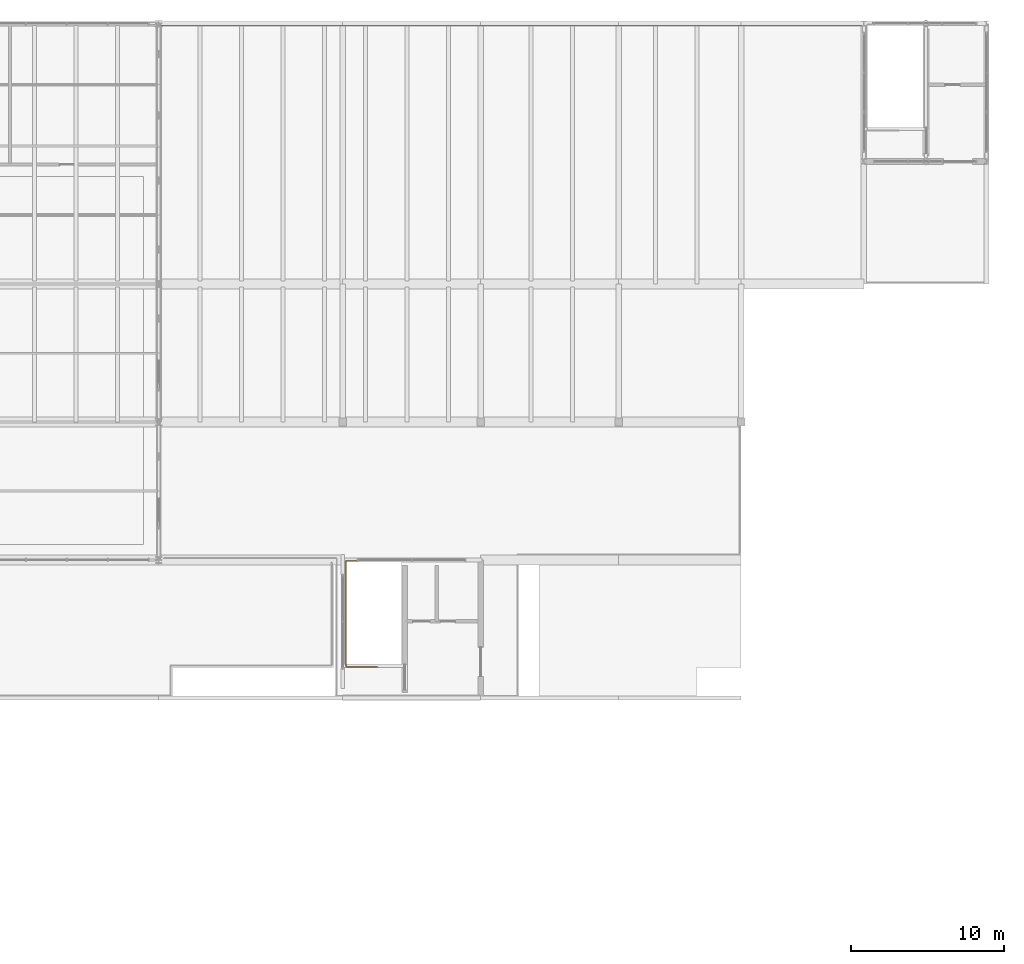
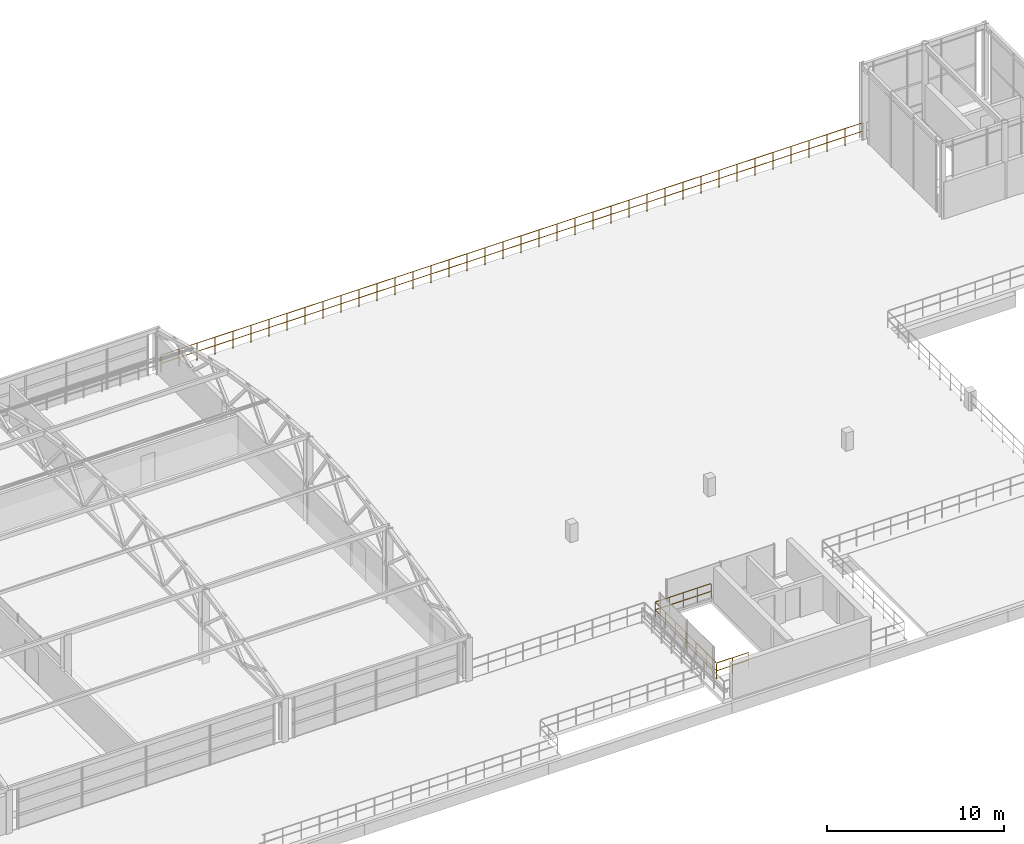
# One storey, part 47 of 50: 2 railings.
"""IFC4 building model written with IfcOpenShell, lengths in metres."""

from ifc_helpers import new_model, si_unit, derived_unit, direction, frame, origin, origin_2d, place, context, subcontext, project, spatial, circle, extrude, material, type_object, element, save


model = new_model("IFC4")

# Units and contexts
model_context = context("Model", 3, precision=1e-05, world=origin(), true_north=direction((0.0, 1.0)))
body_context = subcontext(model_context, "Body", "Model", "MODEL_VIEW")
ifc_project = project(units=[si_unit("LENGTHUNIT", "METRE"), si_unit("AREAUNIT", "SQUARE_METRE"), si_unit("VOLUMEUNIT", "CUBIC_METRE"), si_unit("PLANEANGLEUNIT", "RADIAN"), si_unit("MASSUNIT", "GRAM", prefix="KILO"), si_unit("THERMODYNAMICTEMPERATUREUNIT", "KELVIN"), derived_unit("THERMALTRANSMITTANCEUNIT", [(si_unit("POWERUNIT", "WATT"), 1), (si_unit("AREAUNIT", "SQUARE_METRE"), -1), (si_unit("THERMODYNAMICTEMPERATUREUNIT", "KELVIN"), -1)])], contexts=[model_context])

# Site, building, storey
site_placement = place(None, origin())
site = spatial("IfcSite", under=ifc_project, at=site_placement, CompositionType="ELEMENT")
building_placement = place(site_placement, origin())
building = spatial("IfcBuilding", under=site, at=building_placement, Name="Haiyu Intermodal Mobility Hub", CompositionType="ELEMENT")
storey_placement = place(building_placement, frame((0.0, 0.0, 25.10009765625)))
storey = spatial("IfcBuildingStorey", under=building, at=storey_placement, Name="L06", CompositionType="ELEMENT", Elevation=25.10009765625)

# Railings
ifc_material = material(Name="Steel Q355C", Category="steel")
railing_type_1 = type_object("IfcRailingType", Name="RAL-GR01", PredefinedType="GUARDRAIL", material=ifc_material)
railing_1_placement = place(storey_placement, frame((153.949951171875, 147.8798828125, 0.0)))
element("IfcRailing", 1, at=railing_1_placement, inside=storey, type_object=railing_type_1, Name="L06 Outdoor Basketball Court North Guard", PredefinedType="GUARDRAIL", context=body_context, shape_type="SweptSolid", body=[
    extrude(circle(Radius=0.02392578125, at=origin_2d()), frame((-0.030029296875, 0.0, 1.17578125), z_axis=(-1.0, 0.0, 0.0), x_axis=(0.0, -1.0, 0.0)), (0.0, 0.0, 1.0), 45.75),
    extrude(circle(Radius=0.02392578125, at=origin_2d()), frame((-0.037353515625, 0.0, 0.60009765625), z_axis=(-1.0, 0.0, 0.0), x_axis=(0.0, -1.0, 0.0)), (0.0, 0.0, 1.0), 1.10009765625),
    extrude(circle(Radius=0.02392578125, at=origin_2d()), frame((-1.2119140625, 0.0, 0.60009765625), z_axis=(-1.0, 0.0, 0.0), x_axis=(0.0, -1.0, 0.0)), (0.0, 0.0, 1.0), 1.10009765625),
    extrude(circle(Radius=0.02392578125, at=origin_2d()), frame((-2.386474609375, 0.0, 0.60009765625), z_axis=(-1.0, 0.0, 0.0), x_axis=(0.0, -1.0, 0.0)), (0.0, 0.0, 1.0), 1.10009765625),
    extrude(circle(Radius=0.02392578125, at=origin_2d()), frame((-3.56103515625, 0.0, 0.60009765625), z_axis=(-1.0, 0.0, 0.0), x_axis=(0.0, -1.0, 0.0)), (0.0, 0.0, 1.0), 1.10009765625),
    extrude(circle(Radius=0.02392578125, at=origin_2d()), frame((-4.73583984375, 0.0, 0.60009765625), z_axis=(-1.0, 0.0, 0.0), x_axis=(0.0, -1.0, 0.0)), (0.0, 0.0, 1.0), 1.10009765625),
    extrude(circle(Radius=0.02392578125, at=origin_2d()), frame((-5.910400390625, 0.0, 0.60009765625), z_axis=(-1.0, 0.0, 0.0), x_axis=(0.0, -1.0, 0.0)), (0.0, 0.0, 1.0), 1.10009765625),
    extrude(circle(Radius=0.02392578125, at=origin_2d()), frame((-7.0849609375, 0.0, 0.60009765625), z_axis=(-1.0, 0.0, 0.0), x_axis=(0.0, -1.0, 0.0)), (0.0, 0.0, 1.0), 1.10009765625),
    extrude(circle(Radius=0.02392578125, at=origin_2d()), frame((-8.259521484375, 0.0, 0.60009765625), z_axis=(-1.0, 0.0, 0.0), x_axis=(0.0, -1.0, 0.0)), (0.0, 0.0, 1.0), 1.10009765625),
    extrude(circle(Radius=0.02392578125, at=origin_2d()), frame((-9.434326171875, 0.0, 0.60009765625), z_axis=(-1.0, 0.0, 0.0), x_axis=(0.0, -1.0, 0.0)), (0.0, 0.0, 1.0), 1.10009765625),
    extrude(circle(Radius=0.02392578125, at=origin_2d()), frame((-10.60888671875, 0.0, 0.60009765625), z_axis=(-1.0, 0.0, 0.0), x_axis=(0.0, -1.0, 0.0)), (0.0, 0.0, 1.0), 1.10009765625),
    extrude(circle(Radius=0.02392578125, at=origin_2d()), frame((-11.783447265625, 0.0, 0.60009765625), z_axis=(-1.0, 0.0, 0.0), x_axis=(0.0, -1.0, 0.0)), (0.0, 0.0, 1.0), 1.10009765625),
    extrude(circle(Radius=0.02392578125, at=origin_2d()), frame((-12.9580078125, 0.0, 0.60009765625), z_axis=(-1.0, 0.0, 0.0), x_axis=(0.0, -1.0, 0.0)), (0.0, 0.0, 1.0), 1.10009765625),
    extrude(circle(Radius=0.02392578125, at=origin_2d()), frame((-14.1328125, 0.0, 0.60009765625), z_axis=(-1.0, 0.0, 0.0), x_axis=(0.0, -1.0, 0.0)), (0.0, 0.0, 1.0), 1.10009765625),
    extrude(circle(Radius=0.02392578125, at=origin_2d()), frame((-15.307373046875, 0.0, 0.60009765625), z_axis=(-1.0, 0.0, 0.0), x_axis=(0.0, -1.0, 0.0)), (0.0, 0.0, 1.0), 1.10009765625),
    extrude(circle(Radius=0.02392578125, at=origin_2d()), frame((-16.48193359375, 0.0, 0.60009765625), z_axis=(-1.0, 0.0, 0.0), x_axis=(0.0, -1.0, 0.0)), (0.0, 0.0, 1.0), 1.10009765625),
    extrude(circle(Radius=0.02392578125, at=origin_2d()), frame((-17.656494140625, 0.0, 0.60009765625), z_axis=(-1.0, 0.0, 0.0), x_axis=(0.0, -1.0, 0.0)), (0.0, 0.0, 1.0), 1.10009765625),
    extrude(circle(Radius=0.02392578125, at=origin_2d()), frame((-18.8310546875, 0.0, 0.60009765625), z_axis=(-1.0, 0.0, 0.0), x_axis=(0.0, -1.0, 0.0)), (0.0, 0.0, 1.0), 1.10009765625),
    extrude(circle(Radius=0.02392578125, at=origin_2d()), frame((-20.005859375, 0.0, 0.60009765625), z_axis=(-1.0, 0.0, 0.0), x_axis=(0.0, -1.0, 0.0)), (0.0, 0.0, 1.0), 1.10009765625),
    extrude(circle(Radius=0.02392578125, at=origin_2d()), frame((-21.180419921875, 0.0, 0.60009765625), z_axis=(-1.0, 0.0, 0.0), x_axis=(0.0, -1.0, 0.0)), (0.0, 0.0, 1.0), 1.10009765625),
    extrude(circle(Radius=0.02392578125, at=origin_2d()), frame((-22.35498046875, 0.0, 0.60009765625), z_axis=(-1.0, 0.0, 0.0), x_axis=(0.0, -1.0, 0.0)), (0.0, 0.0, 1.0), 1.10009765625),
    extrude(circle(Radius=0.02392578125, at=origin_2d()), frame((-23.529541015625, 0.0, 0.60009765625), z_axis=(-1.0, 0.0, 0.0), x_axis=(0.0, -1.0, 0.0)), (0.0, 0.0, 1.0), 1.10009765625),
    extrude(circle(Radius=0.02392578125, at=origin_2d()), frame((-24.704345703125, 0.0, 0.60009765625), z_axis=(-1.0, 0.0, 0.0), x_axis=(0.0, -1.0, 0.0)), (0.0, 0.0, 1.0), 1.10009765625),
    extrude(circle(Radius=0.02392578125, at=origin_2d()), frame((-25.87890625, 0.0, 0.60009765625), z_axis=(-1.0, 0.0, 0.0), x_axis=(0.0, -1.0, 0.0)), (0.0, 0.0, 1.0), 1.10009765625),
    extrude(circle(Radius=0.02392578125, at=origin_2d()), frame((-27.053466796875, 0.0, 0.60009765625), z_axis=(-1.0, 0.0, 0.0), x_axis=(0.0, -1.0, 0.0)), (0.0, 0.0, 1.0), 1.10009765625),
    extrude(circle(Radius=0.02392578125, at=origin_2d()), frame((-28.22802734375, 0.0, 0.60009765625), z_axis=(-1.0, 0.0, 0.0), x_axis=(0.0, -1.0, 0.0)), (0.0, 0.0, 1.0), 1.10009765625),
    extrude(circle(Radius=0.02392578125, at=origin_2d()), frame((-29.40283203125, 0.0, 0.60009765625), z_axis=(-1.0, 0.0, 0.0), x_axis=(0.0, -1.0, 0.0)), (0.0, 0.0, 1.0), 1.10009765625),
    extrude(circle(Radius=0.02392578125, at=origin_2d()), frame((-30.577392578125, 0.0, 0.60009765625), z_axis=(-1.0, 0.0, 0.0), x_axis=(0.0, -1.0, 0.0)), (0.0, 0.0, 1.0), 1.10009765625),
    extrude(circle(Radius=0.02392578125, at=origin_2d()), frame((-31.751953125, 0.0, 0.60009765625), z_axis=(-1.0, 0.0, 0.0), x_axis=(0.0, -1.0, 0.0)), (0.0, 0.0, 1.0), 1.10009765625),
    extrude(circle(Radius=0.02392578125, at=origin_2d()), frame((-32.926513671875, 0.0, 0.60009765625), z_axis=(-1.0, 0.0, 0.0), x_axis=(0.0, -1.0, 0.0)), (0.0, 0.0, 1.0), 1.10009765625),
    extrude(circle(Radius=0.02392578125, at=origin_2d()), frame((-34.10107421875, 0.0, 0.60009765625), z_axis=(-1.0, 0.0, 0.0), x_axis=(0.0, -1.0, 0.0)), (0.0, 0.0, 1.0), 1.10009765625),
    extrude(circle(Radius=0.02392578125, at=origin_2d()), frame((-35.27587890625, 0.0, 0.60009765625), z_axis=(-1.0, 0.0, 0.0), x_axis=(0.0, -1.0, 0.0)), (0.0, 0.0, 1.0), 1.10009765625),
    extrude(circle(Radius=0.02392578125, at=origin_2d()), frame((-36.450439453125, 0.0, 0.60009765625), z_axis=(-1.0, 0.0, 0.0), x_axis=(0.0, -1.0, 0.0)), (0.0, 0.0, 1.0), 1.10009765625),
    extrude(circle(Radius=0.02392578125, at=origin_2d()), frame((-37.625, 0.0, 0.60009765625), z_axis=(-1.0, 0.0, 0.0), x_axis=(0.0, -1.0, 0.0)), (0.0, 0.0, 1.0), 1.10009765625),
    extrude(circle(Radius=0.02392578125, at=origin_2d()), frame((-38.799560546875, 0.0, 0.60009765625), z_axis=(-1.0, 0.0, 0.0), x_axis=(0.0, -1.0, 0.0)), (0.0, 0.0, 1.0), 1.10009765625),
    extrude(circle(Radius=0.02392578125, at=origin_2d()), frame((-39.974365234375, 0.0, 0.60009765625), z_axis=(-1.0, 0.0, 0.0), x_axis=(0.0, -1.0, 0.0)), (0.0, 0.0, 1.0), 1.10009765625),
    extrude(circle(Radius=0.02392578125, at=origin_2d()), frame((-41.14892578125, 0.0, 0.60009765625), z_axis=(-1.0, 0.0, 0.0), x_axis=(0.0, -1.0, 0.0)), (0.0, 0.0, 1.0), 1.10009765625),
    extrude(circle(Radius=0.02392578125, at=origin_2d()), frame((-42.323486328125, 0.0, 0.60009765625), z_axis=(-1.0, 0.0, 0.0), x_axis=(0.0, -1.0, 0.0)), (0.0, 0.0, 1.0), 1.10009765625),
    extrude(circle(Radius=0.02392578125, at=origin_2d()), frame((-43.498046875, 0.0, 0.60009765625), z_axis=(-1.0, 0.0, 0.0), x_axis=(0.0, -1.0, 0.0)), (0.0, 0.0, 1.0), 1.10009765625),
    extrude(circle(Radius=0.02392578125, at=origin_2d()), frame((-44.6728515625, 0.0, 0.60009765625), z_axis=(-1.0, 0.0, 0.0), x_axis=(0.0, -1.0, 0.0)), (0.0, 0.0, 1.0), 1.10009765625),
    extrude(circle(Radius=0.02099609375, at=origin_2d()), origin(), (0.0, 0.0, 1.0), 1.143798828125),
    extrude(circle(Radius=0.02099609375, at=origin_2d()), frame((-1.174560546875, 0.0, 0.0)), (0.0, 0.0, 1.0), 1.143798828125),
    extrude(circle(Radius=0.02099609375, at=origin_2d()), frame((-2.34912109375, 0.0, 0.0)), (0.0, 0.0, 1.0), 1.143798828125),
    extrude(circle(Radius=0.02099609375, at=origin_2d()), frame((-3.52392578125, 0.0, 0.0)), (0.0, 0.0, 1.0), 1.143798828125),
    extrude(circle(Radius=0.02099609375, at=origin_2d()), frame((-4.698486328125, 0.0, 0.0)), (0.0, 0.0, 1.0), 1.143798828125),
    extrude(circle(Radius=0.02099609375, at=origin_2d()), frame((-5.873046875, 0.0, 0.0)), (0.0, 0.0, 1.0), 1.143798828125),
    extrude(circle(Radius=0.02099609375, at=origin_2d()), frame((-7.047607421875, 0.0, 0.0)), (0.0, 0.0, 1.0), 1.143798828125),
    extrude(circle(Radius=0.02099609375, at=origin_2d()), frame((-8.222412109375, 0.0, 0.0)), (0.0, 0.0, 1.0), 1.143798828125),
    extrude(circle(Radius=0.02099609375, at=origin_2d()), frame((-9.39697265625, 0.0, 0.0)), (0.0, 0.0, 1.0), 1.143798828125),
    extrude(circle(Radius=0.02099609375, at=origin_2d()), frame((-10.571533203125, 0.0, 0.0)), (0.0, 0.0, 1.0), 1.143798828125),
    extrude(circle(Radius=0.02099609375, at=origin_2d()), frame((-11.74609375, 0.0, 0.0)), (0.0, 0.0, 1.0), 1.143798828125),
    extrude(circle(Radius=0.02099609375, at=origin_2d()), frame((-12.9208984375, 0.0, 0.0)), (0.0, 0.0, 1.0), 1.143798828125),
    extrude(circle(Radius=0.02099609375, at=origin_2d()), frame((-14.095458984375, 0.0, 0.0)), (0.0, 0.0, 1.0), 1.143798828125),
    extrude(circle(Radius=0.02099609375, at=origin_2d()), frame((-15.27001953125, 0.0, 0.0)), (0.0, 0.0, 1.0), 1.143798828125),
    extrude(circle(Radius=0.02099609375, at=origin_2d()), frame((-16.444580078125, 0.0, 0.0)), (0.0, 0.0, 1.0), 1.143798828125),
    extrude(circle(Radius=0.02099609375, at=origin_2d()), frame((-17.619140625, 0.0, 0.0)), (0.0, 0.0, 1.0), 1.143798828125),
    extrude(circle(Radius=0.02099609375, at=origin_2d()), frame((-18.7939453125, 0.0, 0.0)), (0.0, 0.0, 1.0), 1.143798828125),
    extrude(circle(Radius=0.02099609375, at=origin_2d()), frame((-19.968505859375, 0.0, 0.0)), (0.0, 0.0, 1.0), 1.143798828125),
    extrude(circle(Radius=0.02099609375, at=origin_2d()), frame((-21.14306640625, 0.0, 0.0)), (0.0, 0.0, 1.0), 1.143798828125),
    extrude(circle(Radius=0.02099609375, at=origin_2d()), frame((-22.317626953125, 0.0, 0.0)), (0.0, 0.0, 1.0), 1.143798828125),
    extrude(circle(Radius=0.02099609375, at=origin_2d()), frame((-23.492431640625, 0.0, 0.0)), (0.0, 0.0, 1.0), 1.143798828125),
    extrude(circle(Radius=0.02099609375, at=origin_2d()), frame((-24.6669921875, 0.0, 0.0)), (0.0, 0.0, 1.0), 1.143798828125),
    extrude(circle(Radius=0.02099609375, at=origin_2d()), frame((-25.841552734375, 0.0, 0.0)), (0.0, 0.0, 1.0), 1.143798828125),
    extrude(circle(Radius=0.02099609375, at=origin_2d()), frame((-27.01611328125, 0.0, 0.0)), (0.0, 0.0, 1.0), 1.143798828125),
    extrude(circle(Radius=0.02099609375, at=origin_2d()), frame((-28.19091796875, 0.0, 0.0)), (0.0, 0.0, 1.0), 1.143798828125),
    extrude(circle(Radius=0.02099609375, at=origin_2d()), frame((-29.365478515625, 0.0, 0.0)), (0.0, 0.0, 1.0), 1.143798828125),
    extrude(circle(Radius=0.02099609375, at=origin_2d()), frame((-30.5400390625, 0.0, 0.0)), (0.0, 0.0, 1.0), 1.143798828125),
    extrude(circle(Radius=0.02099609375, at=origin_2d()), frame((-31.714599609375, 0.0, 0.0)), (0.0, 0.0, 1.0), 1.143798828125),
    extrude(circle(Radius=0.02099609375, at=origin_2d()), frame((-32.88916015625, 0.0, 0.0)), (0.0, 0.0, 1.0), 1.143798828125),
    extrude(circle(Radius=0.02099609375, at=origin_2d()), frame((-34.06396484375, 0.0, 0.0)), (0.0, 0.0, 1.0), 1.143798828125),
    extrude(circle(Radius=0.02099609375, at=origin_2d()), frame((-35.238525390625, 0.0, 0.0)), (0.0, 0.0, 1.0), 1.143798828125),
    extrude(circle(Radius=0.02099609375, at=origin_2d()), frame((-36.4130859375, 0.0, 0.0)), (0.0, 0.0, 1.0), 1.143798828125),
    extrude(circle(Radius=0.02099609375, at=origin_2d()), frame((-37.587646484375, 0.0, 0.0)), (0.0, 0.0, 1.0), 1.143798828125),
    extrude(circle(Radius=0.02099609375, at=origin_2d()), frame((-38.762451171875, 0.0, 0.0)), (0.0, 0.0, 1.0), 1.143798828125),
    extrude(circle(Radius=0.02099609375, at=origin_2d()), frame((-39.93701171875, 0.0, 0.0)), (0.0, 0.0, 1.0), 1.143798828125),
    extrude(circle(Radius=0.02099609375, at=origin_2d()), frame((-41.111572265625, 0.0, 0.0)), (0.0, 0.0, 1.0), 1.143798828125),
    extrude(circle(Radius=0.02099609375, at=origin_2d()), frame((-42.2861328125, 0.0, 0.0)), (0.0, 0.0, 1.0), 1.143798828125),
    extrude(circle(Radius=0.02099609375, at=origin_2d()), frame((-43.4609375, 0.0, 0.0)), (0.0, 0.0, 1.0), 1.143798828125),
    extrude(circle(Radius=0.02099609375, at=origin_2d()), frame((-44.635498046875, 0.0, 0.0)), (0.0, 0.0, 1.0), 1.143798828125),
    extrude(circle(Radius=0.02099609375, at=origin_2d()), frame((-45.81005859375, 0.0, 0.0)), (0.0, 0.0, 1.0), 1.143798828125),
])
railing_type_2 = type_object("IfcRailingType", Name="RAL-GR03", PredefinedType="GUARDRAIL", material=ifc_material)
railing_2_placement = place(storey_placement, frame((122.31005859375, 106.010009765625, 0.0)))
element("IfcRailing", 2, at=railing_2_placement, inside=storey, type_object=railing_type_2, Name="Stair Shaft Floor Guard STR-C6-L05", PredefinedType="GUARDRAIL", context=body_context, shape_type="SweptSolid", body=[
    extrude(circle(Radius=0.02392578125, at=origin_2d()), frame((-0.030029296875, 0.0, 1.09619140625), z_axis=(-1.0, 0.0, 0.0), x_axis=(0.0, -1.0, 0.0)), (0.0, 0.0, 1.0), 2.030029296875),
    extrude(circle(Radius=0.02392578125, at=origin_2d()), frame((-0.037353515625, 0.0, 0.56005859375), z_axis=(-1.0, 0.0, 0.0), x_axis=(0.0, -1.0, 0.0)), (0.0, 0.0, 1.0), 0.970458984375),
    extrude(circle(Radius=0.02392578125, at=origin_2d()), frame((-1.082275390625, 0.0, 0.56005859375), z_axis=(-1.0, 0.0, 0.0), x_axis=(0.0, -1.0, 0.0)), (0.0, 0.0, 1.0), 0.970458984375),
    extrude(circle(Radius=0.02392578125, at=origin_2d()), frame((-2.090087890625, 0.030029296875, 1.09619140625), z_axis=(0.0, 1.0, 0.0), x_axis=(-1.0, 0.0, 0.0)), (0.0, 0.0, 1.0), 6.8798828125),
    extrude(circle(Radius=0.02392578125, at=origin_2d()), frame((-2.090087890625, 0.037353515625, 0.56005859375), z_axis=(0.0, 1.0, 0.0), x_axis=(-1.0, 0.0, 0.0)), (0.0, 0.0, 1.0), 1.08203125),
    extrude(circle(Radius=0.02392578125, at=origin_2d()), frame((-2.090087890625, 1.19384765625, 0.56005859375), z_axis=(0.0, 1.0, 0.0), x_axis=(-1.0, 0.0, 0.0)), (0.0, 0.0, 1.0), 1.08203125),
    extrude(circle(Radius=0.02392578125, at=origin_2d()), frame((-2.090087890625, 2.3505859375, 0.56005859375), z_axis=(0.0, 1.0, 0.0), x_axis=(-1.0, 0.0, 0.0)), (0.0, 0.0, 1.0), 1.08203125),
    extrude(circle(Radius=0.02392578125, at=origin_2d()), frame((-2.090087890625, 3.50732421875, 0.56005859375), z_axis=(0.0, 1.0, 0.0), x_axis=(-1.0, 0.0, 0.0)), (0.0, 0.0, 1.0), 1.08203125),
    extrude(circle(Radius=0.02392578125, at=origin_2d()), frame((-2.090087890625, 4.663818359375, 0.56005859375), z_axis=(0.0, 1.0, 0.0), x_axis=(-1.0, 0.0, 0.0)), (0.0, 0.0, 1.0), 1.08203125),
    extrude(circle(Radius=0.02392578125, at=origin_2d()), frame((-2.090087890625, 5.820556640625, 0.56005859375), z_axis=(0.0, 1.0, 0.0), x_axis=(-1.0, 0.0, 0.0)), (0.0, 0.0, 1.0), 1.08203125),
    extrude(circle(Radius=0.02392578125, at=origin_2d()), frame((-2.06005859375, 6.93994140625, 1.09619140625), z_axis=(1.0, 0.0, 0.0), x_axis=(0.0, 1.0, 0.0)), (0.0, 0.0, 1.0), 3.590087890625),
    extrude(circle(Radius=0.02392578125, at=origin_2d()), frame((-2.052734375, 6.93994140625, 0.56005859375), z_axis=(1.0, 0.0, 0.0), x_axis=(0.0, 1.0, 0.0)), (0.0, 0.0, 1.0), 0.837890625),
    extrude(circle(Radius=0.02392578125, at=origin_2d()), frame((-1.14013671875, 6.93994140625, 0.56005859375), z_axis=(1.0, 0.0, 0.0), x_axis=(0.0, 1.0, 0.0)), (0.0, 0.0, 1.0), 0.837890625),
    extrude(circle(Radius=0.02392578125, at=origin_2d()), frame((-0.227783203125, 6.93994140625, 0.56005859375), z_axis=(1.0, 0.0, 0.0), x_axis=(0.0, 1.0, 0.0)), (0.0, 0.0, 1.0), 0.837890625),
    extrude(circle(Radius=0.02392578125, at=origin_2d()), frame((0.684814453125, 6.93994140625, 0.56005859375), z_axis=(1.0, 0.0, 0.0), x_axis=(0.0, 1.0, 0.0)), (0.0, 0.0, 1.0), 0.837890625),
    extrude(circle(Radius=0.02099609375, at=origin_2d()), origin(), (0.0, 0.0, 1.0), 1.06396484375),
    extrude(circle(Radius=0.02099609375, at=origin_2d()), frame((-1.044921875, 0.0, 0.0)), (0.0, 0.0, 1.0), 1.06396484375),
    extrude(circle(Radius=0.02099609375, at=origin_2d()), frame((-2.090087890625, 0.0, 0.0)), (0.0, 0.0, 1.0), 1.06396484375),
    extrude(circle(Radius=0.02099609375, at=origin_2d()), frame((-2.090087890625, 1.15673828125, 0.0)), (0.0, 0.0, 1.0), 1.06396484375),
    extrude(circle(Radius=0.02099609375, at=origin_2d()), frame((-2.090087890625, 2.313232421875, 0.0)), (0.0, 0.0, 1.0), 1.06396484375),
    extrude(circle(Radius=0.02099609375, at=origin_2d()), frame((-2.090087890625, 3.469970703125, 0.0)), (0.0, 0.0, 1.0), 1.06396484375),
    extrude(circle(Radius=0.02099609375, at=origin_2d()), frame((-2.090087890625, 4.626708984375, 0.0)), (0.0, 0.0, 1.0), 1.06396484375),
    extrude(circle(Radius=0.02099609375, at=origin_2d()), frame((-2.090087890625, 5.783203125, 0.0)), (0.0, 0.0, 1.0), 1.06396484375),
    extrude(circle(Radius=0.02099609375, at=origin_2d()), frame((-2.090087890625, 6.93994140625, 0.0)), (0.0, 0.0, 1.0), 1.06396484375),
    extrude(circle(Radius=0.02099609375, at=origin_2d()), frame((-1.177490234375, 6.93994140625, 0.0)), (0.0, 0.0, 1.0), 1.06396484375),
    extrude(circle(Radius=0.02099609375, at=origin_2d()), frame((-0.26513671875, 6.93994140625, 0.0)), (0.0, 0.0, 1.0), 1.06396484375),
    extrude(circle(Radius=0.02099609375, at=origin_2d()), frame((0.6474609375, 6.93994140625, 0.0)), (0.0, 0.0, 1.0), 1.06396484375),
    extrude(circle(Radius=0.02099609375, at=origin_2d()), frame((1.56005859375, 6.93994140625, 0.0)), (0.0, 0.0, 1.0), 1.06396484375),
])

save(model, "model.ifc")
